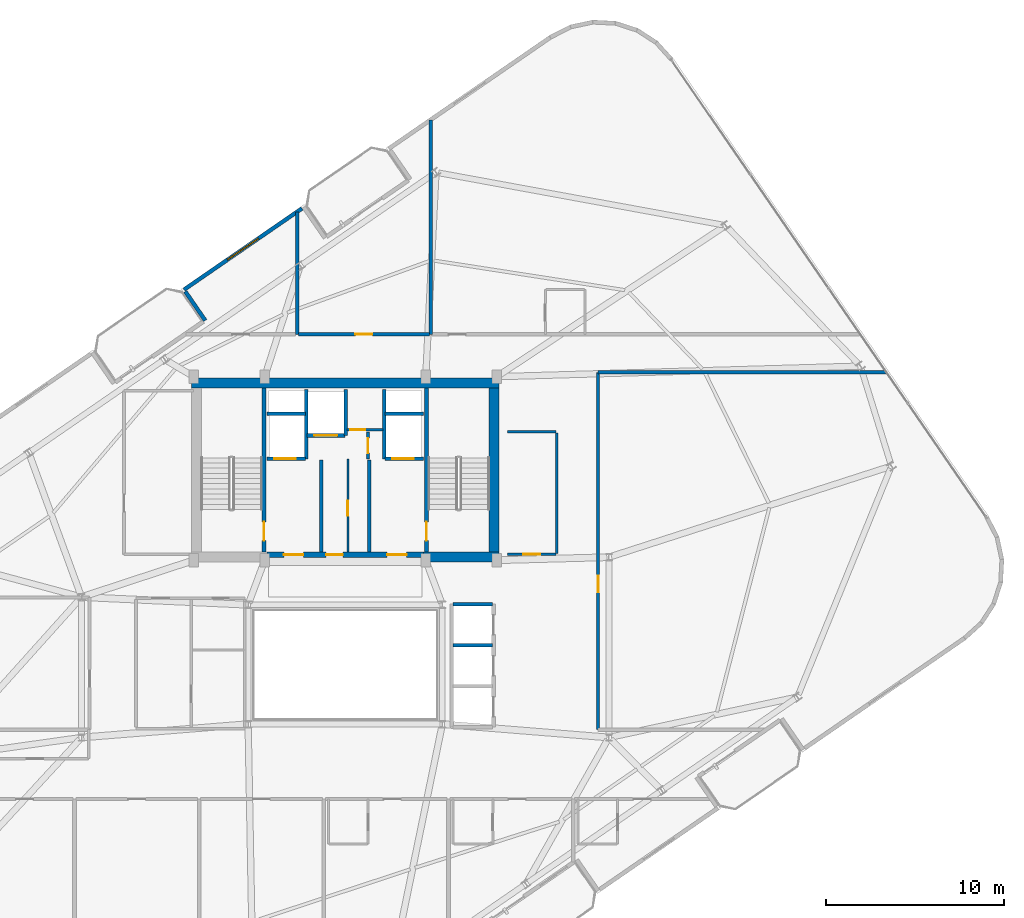
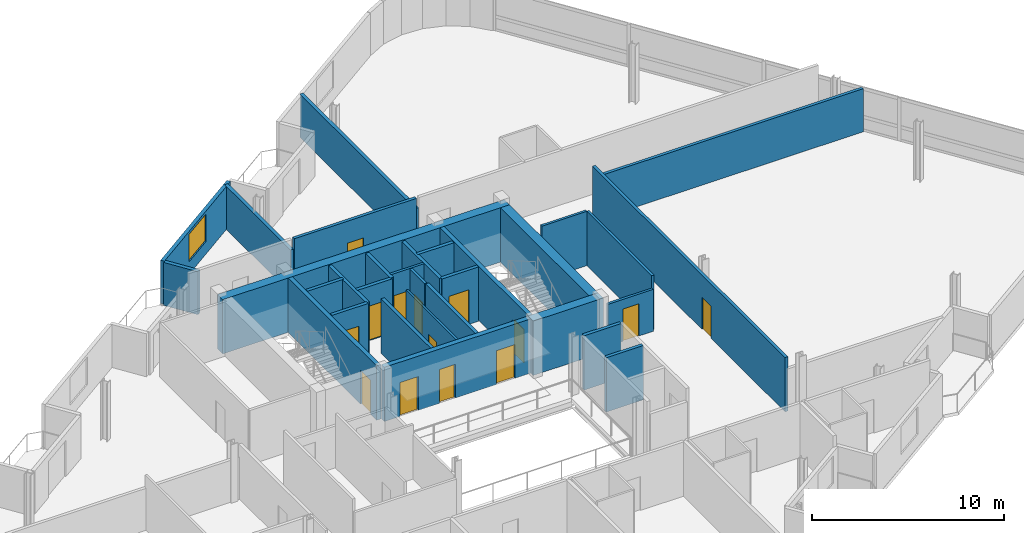
# One storey, part 16 of 21: 31 walls, 14 doors, 1 window, 15 openings.
"""IFC4 building model written with IfcOpenShell, lengths in metres."""

from ifc_helpers import new_model, si_unit, direction, frame, frame_2d, origin, place, context, subcontext, project, spatial, rectangle, extrude, material, layer, layer_set, type_object, element, fill, save


model = new_model("IFC4")

# Units and contexts
model_context = context("Model", 3, precision=1e-05, world=origin(), true_north=direction((0.0, 1.0)))
body_context = subcontext(model_context, "Body", "Model", "MODEL_VIEW")
ifc_project = project(units=[si_unit("LENGTHUNIT", "METRE"), si_unit("AREAUNIT", "SQUARE_METRE"), si_unit("VOLUMEUNIT", "CUBIC_METRE"), si_unit("PLANEANGLEUNIT", "RADIAN"), si_unit("MASSUNIT", "GRAM", prefix="KILO")], contexts=[model_context])

# Site, building, storey
site_placement = place(None, origin())
site = spatial("IfcSite", under=ifc_project, at=site_placement, CompositionType="ELEMENT")
building_placement = place(site_placement, origin())
building = spatial("IfcBuilding", under=site, at=building_placement, Name="Varnelok Gate Tower", CompositionType="ELEMENT")
storey_placement = place(building_placement, frame((0.0, 0.0, 265.60009765625)))
storey = spatial("IfcBuildingStorey", under=building, at=storey_placement, Name="L68", CompositionType="ELEMENT", Elevation=265.60009765625)

# Wall, opening, window
ifc_material_1 = material(Name="Concrete C45/55", Category="concrete")
ifc_layer_1 = layer(ifc_material_1, 0.219970703125)
ifc_layer_set_1 = layer_set([ifc_layer_1], Name="Concrete C45/55")
wall_type_1 = type_object("IfcWallType", Name="EW-BALC-220", PredefinedType="SOLIDWALL", material=ifc_layer_set_1)
wall_1_placement = place(storey_placement, frame((36.768798828125, 48.493896484375, 0.0), z_axis=(0.0, 0.0, 1.0), x_axis=(-0.823521165086, -0.56728554596, 0.0)))
wall_1 = element("IfcWall", 1, at=wall_1_placement, inside=storey, type_object=wall_type_1, Name="L68 Perimeter Facade Closure Wall 32", PredefinedType="SOLIDWALL", context=body_context, shape_type="SweptSolid", body=[
    extrude(rectangle(XDim=8.034912109375, YDim=0.219970703125, at=frame_2d((4.017578125, 0.0))), origin(), (0.0, 0.0, 1.0), 2.72998046875),
])
opening_1_placement = place(wall_1_placement, frame((2.967529296875, 0.0, 0.800048828125)))
opening_1 = element("IfcOpeningElement", 2, at=opening_1_placement, cuts=wall_1, Name="Opening WN4", PredefinedType="OPENING", context=body_context, shape_type="SweptSolid", body=[
    extrude(rectangle(XDim=2.10009765625, YDim=1.75, at=frame_2d((1.050048828125, 0.875))), frame((0.0, 0.119873046875, 0.0), z_axis=(0.0, -1.0, 0.0), x_axis=(1.0, 0.0, 0.0)), (0.0, 0.0, 1.0), 0.239990234375),
])
ifc_material_2 = material(Name="Low-E Laminated Double Glazing IGU", Category="glass")
window_type = type_object("IfcWindowType", Name="WN-SUI-2100", PartitioningType="SINGLE_PANEL", PredefinedType="WINDOW", material=ifc_material_2)
window_placement = place(opening_1_placement, origin())
window = element("IfcWindow", 3, at=window_placement, inside=storey, type_object=window_type, Name="L68 Perimeter Vision Window 32", OverallHeight=1.75, OverallWidth=2.10009765625, PartitioningType="SINGLE_PANEL", PredefinedType="WINDOW", context=body_context, shape_type="SweptSolid", body=[
    extrude(rectangle(XDim=2.10009765625, YDim=1.75, at=frame_2d((1.050048828125, 0.875))), frame((0.0, 0.030029296875, 0.0), z_axis=(0.0, -1.0, 0.0), x_axis=(1.0, 0.0, 0.0)), (0.0, 0.0, 1.0), 0.06005859375),
])
fill(opening_1, window)

# Wall
wall_2_placement = place(storey_placement, frame((30.22265625, 43.8330078125, 0.0), z_axis=(0.0, 0.0, 1.0), x_axis=(0.567215821234, -0.823569190865, 0.0)))
element("IfcWall", 4, at=wall_2_placement, inside=storey, type_object=wall_type_1, Name="L68 Perimeter Facade Closure Wall 33", PredefinedType="SOLIDWALL", context=body_context, shape_type="SweptSolid", body=[
    extrude(rectangle(XDim=1.97509765625, YDim=0.219970703125, at=frame_2d((0.987548828125, 0.0))), origin(), (0.0, 0.0, 1.0), 2.72998046875),
])

# Wall, opening, door
ifc_material_3 = material(Name="Gypsum Plasterboard Acoustic Partition", Category="gypsum")
ifc_layer_2 = layer(ifc_material_3, 0.179931640625)
ifc_layer_set_2 = layer_set([ifc_layer_2], Name="Gypsum Plasterboard Acoustic Partition")
wall_type_2 = type_object("IfcWallType", Name="PW-CORR-180", PredefinedType="PARTITIONING", material=ifc_layer_set_2)
wall_3_placement = place(storey_placement, frame((36.580078125, 41.429931640625, 0.0), z_axis=(0.0, 0.0, 1.0), x_axis=(1.0, 0.0, 0.0)))
wall_3 = element("IfcWall", 5, at=wall_3_placement, inside=storey, type_object=wall_type_2, Name="Interior Partition", PredefinedType="PARTITIONING", context=body_context, shape_type="SweptSolid", body=[
    extrude(rectangle(XDim=7.33984375, YDim=0.179931640625, at=frame_2d((3.669921875, 0.0))), origin(), (0.0, 0.0, 1.0), 3.449951171875),
])
opening_2_placement = place(wall_3_placement, frame((3.195068359375, 0.0, 0.0)))
opening_2 = element("IfcOpeningElement", 6, at=opening_2_placement, cuts=wall_3, Name="Opening D-I2", PredefinedType="OPENING", context=body_context, shape_type="SweptSolid", body=[
    extrude(rectangle(XDim=0.949951171875, YDim=2.050048828125, at=frame_2d((0.47509765625, 1.02490234375))), frame((0.0, 0.099853515625, 0.0), z_axis=(0.0, -1.0, 0.0), x_axis=(1.0, 0.0, 0.0)), (0.0, 0.0, 1.0), 0.199951171875),
])
ifc_material_4 = material(Name="Engineered Hardwood Timber", Category="wood")
door_type_1 = type_object("IfcDoorType", Name="DR-INT-950", OperationType="NOTDEFINED", PredefinedType="DOOR", material=ifc_material_4)
door_1_placement = place(opening_2_placement, origin())
door_1 = element("IfcDoor", 7, at=door_1_placement, inside=storey, type_object=door_type_1, Name="L68 Sky Library Door", OperationType="SINGLE_SWING_LEFT", OverallHeight=2.050048828125, OverallWidth=0.949951171875, PredefinedType="DOOR", context=body_context, shape_type="SweptSolid", body=[
    extrude(rectangle(XDim=0.949951171875, YDim=2.050048828125, at=frame_2d((0.47509765625, 1.02490234375))), frame((0.0, 0.02490234375, 0.0), z_axis=(0.0, -1.0, 0.0), x_axis=(1.0, 0.0, 0.0)), (0.0, 0.0, 1.0), 0.050048828125),
])
fill(opening_2, door_1)

wall_4_placement = place(storey_placement, frame((53.389892578125, 19.239990234375, 0.0), z_axis=(0.0, 0.0, 1.0), x_axis=(0.0, 1.0, 0.0)))
wall_4 = element("IfcWall", 8, at=wall_4_placement, inside=storey, type_object=wall_type_2, Name="Interior Partition", PredefinedType="PARTITIONING", context=body_context, shape_type="SweptSolid", body=[
    extrude(rectangle(XDim=20.06005859375, YDim=0.179931640625, at=frame_2d((10.030029296875, 0.0))), origin(), (0.0, 0.0, 1.0), 3.449951171875),
])
opening_3_placement = place(wall_4_placement, frame((7.699951171875, 0.0, 0.0)))
opening_3 = element("IfcOpeningElement", 9, at=opening_3_placement, cuts=wall_4, Name="Opening D-I2", PredefinedType="OPENING", context=body_context, shape_type="SweptSolid", body=[
    extrude(rectangle(XDim=0.949951171875, YDim=2.050048828125, at=frame_2d((0.47509765625, 1.02490234375))), frame((0.0, 0.099853515625, 0.0), z_axis=(0.0, -1.0, 0.0), x_axis=(1.0, 0.0, 0.0)), (0.0, 0.0, 1.0), 0.199951171875),
])
door_2_placement = place(opening_3_placement, origin())
door_2 = element("IfcDoor", 10, at=door_2_placement, inside=storey, type_object=door_type_1, Name="L68 East Club Door", OperationType="SINGLE_SWING_RIGHT", OverallHeight=2.050048828125, OverallWidth=0.949951171875, PredefinedType="DOOR", context=body_context, shape_type="SweptSolid", body=[
    extrude(rectangle(XDim=0.949951171875, YDim=2.050048828125, at=frame_2d((0.47509765625, 1.02490234375))), frame((0.0, 0.02490234375, 0.0), z_axis=(0.0, -1.0, 0.0), x_axis=(1.0, 0.0, 0.0)), (0.0, 0.0, 1.0), 0.050048828125),
])
fill(opening_3, door_2)

# Wall
wall_5_placement = place(storey_placement, frame((53.389892578125, 39.300048828125, 0.0), z_axis=(0.0, 0.0, 1.0), x_axis=(1.0, 0.0, 0.0)))
element("IfcWall", 11, at=wall_5_placement, inside=storey, type_object=wall_type_2, Name="Interior Partition", PredefinedType="PARTITIONING", context=body_context, shape_type="SweptSolid", body=[
    extrude(rectangle(XDim=16.149169921875, YDim=0.179931640625, at=frame_2d((8.07470703125, 0.0))), origin(), (0.0, 0.0, 1.0), 2.739013671875),
])

# Wall, opening, door
ifc_layer_3 = layer(ifc_material_3, 0.125)
ifc_layer_set_3 = layer_set([ifc_layer_3], Name="Gypsum Plasterboard Acoustic Partition")
wall_type_3 = type_object("IfcWallType", Name="PW-PART-125", PredefinedType="PARTITIONING", material=ifc_layer_set_3)
wall_6_placement = place(storey_placement, frame((39.35009765625, 29.199951171875, 0.0), z_axis=(0.0, 0.0, 1.0), x_axis=(0.0, 1.0, 0.0)))
wall_6 = element("IfcWall", 12, at=wall_6_placement, inside=storey, type_object=wall_type_3, Name="Interior Partition", PredefinedType="PARTITIONING", context=body_context, shape_type="SweptSolid", body=[
    extrude(rectangle(XDim=5.219970703125, YDim=0.125, at=frame_2d((2.60986328125, 0.0))), origin(), (0.0, 0.0, 1.0), 3.449951171875),
])
opening_4_placement = place(wall_6_placement, frame((2.050048828125, 0.0, 0.0)))
opening_4 = element("IfcOpeningElement", 13, at=opening_4_placement, cuts=wall_6, Name="Opening D-RS", PredefinedType="OPENING", context=body_context, shape_type="SweptSolid", body=[
    extrude(rectangle(XDim=0.85009765625, YDim=2.050048828125, at=frame_2d((0.425048828125, 1.02490234375))), frame((0.0, 0.072509765625, 0.0), z_axis=(0.0, -1.0, 0.0), x_axis=(1.0, 0.0, 0.0)), (0.0, 0.0, 1.0), 0.14501953125),
])
ifc_material_5 = material(Name="Galvanized Steel Grade S350GD", Category="steel")
door_type_2 = type_object("IfcDoorType", Name="DR-RISER-850", OperationType="NOTDEFINED", PredefinedType="DOOR", material=ifc_material_5)
door_3_placement = place(opening_4_placement, origin())
door_3 = element("IfcDoor", 14, at=door_3_placement, inside=storey, type_object=door_type_2, Name="L68 Housekeeping Linen Door", OperationType="SINGLE_SWING_RIGHT", OverallHeight=2.050048828125, OverallWidth=0.85009765625, PredefinedType="DOOR", context=body_context, shape_type="SweptSolid", body=[
    extrude(rectangle(XDim=0.85009765625, YDim=2.050048828125, at=frame_2d((0.425048828125, 1.02490234375))), frame((0.0, 0.02490234375, 0.0), z_axis=(0.0, -1.0, 0.0), x_axis=(1.0, 0.0, 0.0)), (0.0, 0.0, 1.0), 0.050048828125),
])
fill(opening_4, door_3)

ifc_layer_4 = layer(ifc_material_3, 0.14990234375)
ifc_layer_set_4 = layer_set([ifc_layer_4], Name="Gypsum Plasterboard Acoustic Partition")
wall_type_4 = type_object("IfcWallType", Name="PW-PART-150", PredefinedType="PARTITIONING", material=ifc_layer_set_4)
wall_7_placement = place(storey_placement, frame((39.300048828125, 36.080078125, 0.0), z_axis=(0.0, 0.0, 1.0), x_axis=(1.0, 0.0, 0.0)))
wall_7 = element("IfcWall", 15, at=wall_7_placement, inside=storey, type_object=wall_type_4, Name="L68 Electrical Closet South Wall", PredefinedType="PARTITIONING", context=body_context, shape_type="SweptSolid", body=[
    extrude(rectangle(XDim=2.02001953125, YDim=0.14990234375, at=frame_2d((1.010009765625, 0.0))), origin(), (0.0, 0.0, 1.0), 3.449951171875),
])
opening_5_placement = place(wall_7_placement, frame((0.179931640625, 0.0, 0.0)))
opening_5 = element("IfcOpeningElement", 16, at=opening_5_placement, cuts=wall_7, Name="Opening D-RS", PredefinedType="OPENING", context=body_context, shape_type="SweptSolid", body=[
    extrude(rectangle(XDim=0.85009765625, YDim=2.050048828125, at=frame_2d((0.425048828125, 1.02490234375))), frame((0.0, 0.0849609375, 0.0), z_axis=(0.0, -1.0, 0.0), x_axis=(1.0, 0.0, 0.0)), (0.0, 0.0, 1.0), 0.169921875),
])
door_4_placement = place(opening_5_placement, origin())
door_4 = element("IfcDoor", 17, at=door_4_placement, inside=storey, type_object=door_type_2, Name="L68 Electrical Closet Door", OperationType="SINGLE_SWING_RIGHT", OverallHeight=2.050048828125, OverallWidth=0.85009765625, PredefinedType="DOOR", context=body_context, shape_type="SweptSolid", body=[
    extrude(rectangle(XDim=0.85009765625, YDim=2.050048828125, at=frame_2d((0.425048828125, 1.02490234375))), frame((0.0, 0.02490234375, 0.0), z_axis=(0.0, -1.0, 0.0), x_axis=(1.0, 0.0, 0.0)), (0.0, 0.0, 1.0), 0.050048828125),
])
fill(opening_5, door_4)

wall_8_placement = place(storey_placement, frame((40.47998046875, 34.43994140625, 0.0), z_axis=(0.0, 0.0, 1.0), x_axis=(0.0, 1.0, 0.0)))
wall_8 = element("IfcWall", 18, at=wall_8_placement, inside=storey, type_object=wall_type_4, Name="L68 Telecoms Closet West Wall", PredefinedType="PARTITIONING", context=body_context, shape_type="SweptSolid", body=[
    extrude(rectangle(XDim=1.52001953125, YDim=0.14990234375, at=frame_2d((0.760009765625, 0.0))), origin(), (0.0, 0.0, 1.0), 3.449951171875),
])
opening_6_placement = place(wall_8_placement, frame((0.320068359375, 0.0, 0.0)))
opening_6 = element("IfcOpeningElement", 19, at=opening_6_placement, cuts=wall_8, Name="Opening D-RS", PredefinedType="OPENING", context=body_context, shape_type="SweptSolid", body=[
    extrude(rectangle(XDim=0.85009765625, YDim=2.050048828125, at=frame_2d((0.425048828125, 1.02490234375))), frame((0.0, 0.0849609375, 0.0), z_axis=(0.0, -1.0, 0.0), x_axis=(1.0, 0.0, 0.0)), (0.0, 0.0, 1.0), 0.169921875),
])
door_5_placement = place(opening_6_placement, origin())
door_5 = element("IfcDoor", 20, at=door_5_placement, inside=storey, type_object=door_type_2, Name="L68 Telecoms Closet Door", OperationType="SINGLE_SWING_LEFT", OverallHeight=2.050048828125, OverallWidth=0.85009765625, PredefinedType="DOOR", context=body_context, shape_type="SweptSolid", body=[
    extrude(rectangle(XDim=0.85009765625, YDim=2.050048828125, at=frame_2d((0.425048828125, 1.02490234375))), frame((0.0, 0.02490234375, 0.0), z_axis=(0.0, -1.0, 0.0), x_axis=(1.0, 0.0, 0.0)), (0.0, 0.0, 1.0), 0.050048828125),
])
fill(opening_6, door_5)

wall_9_placement = place(storey_placement, frame((48.300048828125, 29.080078125, 0.0), z_axis=(0.0, 0.0, 1.0), x_axis=(1.0, 0.0, 0.0)))
wall_9 = element("IfcWall", 21, at=wall_9_placement, inside=storey, type_object=wall_type_4, Name="Interior Partition", PredefinedType="PARTITIONING", context=body_context, shape_type="SweptSolid", body=[
    extrude(rectangle(XDim=2.719970703125, YDim=0.14990234375, at=frame_2d((1.35986328125, 0.0))), origin(), (0.0, 0.0, 1.0), 2.661865234375),
])
opening_7_placement = place(wall_9_placement, frame((0.89990234375, 0.0, 0.0)))
opening_7 = element("IfcOpeningElement", 22, at=opening_7_placement, cuts=wall_9, Name="Opening D-I2", PredefinedType="OPENING", context=body_context, shape_type="SweptSolid", body=[
    extrude(rectangle(XDim=0.949951171875, YDim=2.050048828125, at=frame_2d((0.47509765625, 1.02490234375))), frame((0.0, 0.0849609375, 0.0), z_axis=(0.0, -1.0, 0.0), x_axis=(1.0, 0.0, 0.0)), (0.0, 0.0, 1.0), 0.169921875),
])
door_6_placement = place(opening_7_placement, origin())
door_6 = element("IfcDoor", 23, at=door_6_placement, inside=storey, type_object=door_type_1, Name="L68 Reclaimed Trunk Store Door", OperationType="SINGLE_SWING_LEFT", OverallHeight=2.050048828125, OverallWidth=0.949951171875, PredefinedType="DOOR", context=body_context, shape_type="SweptSolid", body=[
    extrude(rectangle(XDim=0.949951171875, YDim=2.050048828125, at=frame_2d((0.47509765625, 1.02490234375))), frame((0.0, 0.02490234375, 0.0), z_axis=(0.0, -1.0, 0.0), x_axis=(1.0, 0.0, 0.0)), (0.0, 0.0, 1.0), 0.050048828125),
])
fill(opening_7, door_6)

# Walls
wall_10_placement = place(storey_placement, frame((48.300048828125, 35.9599609375, 0.0), z_axis=(0.0, 0.0, 1.0), x_axis=(1.0, 0.0, 0.0)))
element("IfcWall", 24, at=wall_10_placement, inside=storey, type_object=wall_type_4, Name="Interior Partition", PredefinedType="PARTITIONING", context=body_context, shape_type="SweptSolid", body=[
    extrude(rectangle(XDim=2.719970703125, YDim=0.14990234375, at=frame_2d((1.35986328125, 0.0))), origin(), (0.0, 0.0, 1.0), 3.449951171875),
])
wall_11_placement = place(storey_placement, frame((51.080078125, 29.139892578125, 0.0), z_axis=(0.0, 0.0, 1.0), x_axis=(0.0, 1.0, 0.0)))
element("IfcWall", 25, at=wall_11_placement, inside=storey, type_object=wall_type_4, Name="Interior Partition", PredefinedType="PARTITIONING", context=body_context, shape_type="SweptSolid", body=[
    extrude(rectangle(XDim=6.760009765625, YDim=0.14990234375, at=frame_2d((3.3798828125, 0.0))), origin(), (0.0, 0.0, 1.0), 3.449951171875),
])
ifc_layer_5 = layer(ifc_material_3, 0.205078125)
ifc_layer_set_5 = layer_set([ifc_layer_5], Name="Gypsum Plasterboard Acoustic Partition")
wall_type_5 = type_object("IfcWallType", Name="PW-PARTY-200", PredefinedType="PARTITIONING", material=ifc_layer_set_5)
wall_12_placement = place(storey_placement, frame((36.5, 41.429931640625, 0.0), z_axis=(0.0, 0.0, 1.0), x_axis=(0.0, 1.0, 0.0)))
element("IfcWall", 26, at=wall_12_placement, inside=storey, type_object=wall_type_5, Name="L68 North Party Wall 1", PredefinedType="PARTITIONING", context=body_context, shape_type="SweptSolid", body=[
    extrude(rectangle(XDim=6.854248046875, YDim=0.205078125, at=frame_2d((3.42724609375, 0.0))), origin(), (0.0, 0.0, 1.0), 2.739013671875),
])
wall_13_placement = place(storey_placement, frame((44.0, 41.429931640625, 0.0), z_axis=(0.0, 0.0, 1.0), x_axis=(0.0, 1.0, 0.0)))
element("IfcWall", 27, at=wall_13_placement, inside=storey, type_object=wall_type_5, Name="L68 North Party Wall 2", PredefinedType="PARTITIONING", context=body_context, shape_type="SweptSolid", body=[
    extrude(rectangle(XDim=12.0205078125, YDim=0.205078125, at=frame_2d((6.01025390625, 0.0))), origin(), (0.0, 0.0, 1.0), 2.739013671875),
])
ifc_material_6 = material(Name="Concrete C35/45", Category="concrete")
ifc_layer_6 = layer(ifc_material_6, 0.199951171875)
ifc_layer_set_6 = layer_set([ifc_layer_6], Name="Concrete C35/45")
wall_type_6 = type_object("IfcWallType", Name="PW-SHAFT-200", PredefinedType="PARTITIONING", material=ifc_layer_set_6)
for number, where, z_axis, x_axis, name in (
    (28, (37.860107421875, 29.199951171875, 0.0), (0.0, 0.0, 1.0), (0.0, 1.0, 0.0), "L68 West FF Lobby Rated Wall"),
    (29, (40.5400390625, 29.199951171875, 0.0), (0.0, 0.0, 1.0), (0.0, 1.0, 0.0), "L68 East FF Lobby Rated Wall"),
):
    element("IfcWall", number, at=place(storey_placement, frame(where, z_axis=z_axis, x_axis=x_axis)), inside=storey, type_object=wall_type_6, Name=name, PredefinedType="PARTITIONING", context=body_context, shape_type="SweptSolid", body=[
        extrude(rectangle(XDim=5.179931640625, YDim=0.199951171875, at=frame_2d((2.58984375, 0.0))), origin(), (0.0, 0.0, 1.0), 3.449951171875),
    ])

# Wall, opening, door
wall_14_placement = place(storey_placement, frame((34.800048828125, 34.43994140625, 0.0), z_axis=(0.0, 0.0, 1.0), x_axis=(1.0, 0.0, 0.0)))
wall_14 = element("IfcWall", 30, at=wall_14_placement, inside=storey, type_object=wall_type_6, Name="L68 FF1 Shaft Front Wall", PredefinedType="PARTITIONING", context=body_context, shape_type="SweptSolid", body=[
    extrude(rectangle(XDim=2.179931640625, YDim=0.199951171875, at=frame_2d((1.08984375, 0.0))), origin(), (0.0, 0.0, 1.0), 3.449951171875),
])
opening_8_placement = place(wall_14_placement, frame((0.419921875, 0.0, 0.0)))
opening_8 = element("IfcOpeningElement", 31, at=opening_8_placement, cuts=wall_14, Name="Opening LD-FF1", PredefinedType="OPENING", context=body_context, shape_type="SweptSolid", body=[
    extrude(rectangle(XDim=1.199951171875, YDim=2.199951171875, at=frame_2d((0.60009765625, 1.10009765625))), frame((0.0, 0.10986328125, 0.0), z_axis=(0.0, -1.0, 0.0), x_axis=(1.0, 0.0, 0.0)), (0.0, 0.0, 1.0), 0.219970703125),
])
door_type_3 = type_object("IfcDoorType", Name="DR-LIFT-FF1200", OperationType="SLIDING_TO_LEFT", PredefinedType="DOOR", material=ifc_material_5)
door_7_placement = place(opening_8_placement, origin())
door_7 = element("IfcDoor", 32, at=door_7_placement, inside=storey, type_object=door_type_3, Name="L68 Firefighting Lift Landing Door LD-FF1", OperationType="SLIDING_TO_LEFT", OverallHeight=2.199951171875, OverallWidth=1.199951171875, PredefinedType="DOOR", context=body_context, shape_type="SweptSolid", body=[
    extrude(rectangle(XDim=1.199951171875, YDim=2.199951171875, at=frame_2d((0.60009765625, 1.10009765625))), frame((0.0, 0.02490234375, 0.0), z_axis=(0.0, -1.0, 0.0), x_axis=(1.0, 0.0, 0.0)), (0.0, 0.0, 1.0), 0.050048828125),
])
fill(opening_8, door_7)

# Walls
wall_15_placement = place(storey_placement, frame((34.800048828125, 36.97998046875, 0.0), z_axis=(0.0, 0.0, 1.0), x_axis=(1.0, 0.0, 0.0)))
element("IfcWall", 33, at=wall_15_placement, inside=storey, type_object=wall_type_6, Name="L68 FF1 Shaft North Wall", PredefinedType="PARTITIONING", context=body_context, shape_type="SweptSolid", body=[
    extrude(rectangle(XDim=2.179931640625, YDim=0.199951171875, at=frame_2d((1.08984375, 0.0))), origin(), (0.0, 0.0, 1.0), 3.449951171875),
])
wall_16_placement = place(storey_placement, frame((37.0, 34.43994140625, 0.0), z_axis=(0.0, 0.0, 1.0), x_axis=(0.0, 1.0, 0.0)))
element("IfcWall", 34, at=wall_16_placement, inside=storey, type_object=wall_type_6, Name="L68 FF1 Shaft Side Wall", PredefinedType="PARTITIONING", context=body_context, shape_type="SweptSolid", body=[
    extrude(rectangle(XDim=3.900146484375, YDim=0.199951171875, at=frame_2d((1.9501953125, 0.0))), origin(), (0.0, 0.0, 1.0), 3.449951171875),
])

# Wall, opening, door
wall_17_placement = place(storey_placement, frame((41.419921875, 34.43994140625, 0.0), z_axis=(0.0, 0.0, 1.0), x_axis=(1.0, 0.0, 0.0)))
wall_17 = element("IfcWall", 35, at=wall_17_placement, inside=storey, type_object=wall_type_6, Name="L68 FF2 Shaft Front Wall", PredefinedType="PARTITIONING", context=body_context, shape_type="SweptSolid", body=[
    extrude(rectangle(XDim=2.18017578125, YDim=0.199951171875, at=frame_2d((1.090087890625, 0.0))), origin(), (0.0, 0.0, 1.0), 3.449951171875),
])
opening_9_placement = place(wall_17_placement, frame((0.419921875, 0.0, 0.0)))
opening_9 = element("IfcOpeningElement", 36, at=opening_9_placement, cuts=wall_17, Name="Opening LD-FF2", PredefinedType="OPENING", context=body_context, shape_type="SweptSolid", body=[
    extrude(rectangle(XDim=1.199951171875, YDim=2.199951171875, at=frame_2d((0.60009765625, 1.10009765625))), frame((0.0, 0.10986328125, 0.0), z_axis=(0.0, -1.0, 0.0), x_axis=(1.0, 0.0, 0.0)), (0.0, 0.0, 1.0), 0.219970703125),
])
door_8_placement = place(opening_9_placement, origin())
door_8 = element("IfcDoor", 37, at=door_8_placement, inside=storey, type_object=door_type_3, Name="L68 Firefighting Lift Landing Door LD-FF2", OperationType="SLIDING_TO_LEFT", OverallHeight=2.199951171875, OverallWidth=1.199951171875, PredefinedType="DOOR", context=body_context, shape_type="SweptSolid", body=[
    extrude(rectangle(XDim=1.199951171875, YDim=2.199951171875, at=frame_2d((0.60009765625, 1.10009765625))), frame((0.0, 0.02490234375, 0.0), z_axis=(0.0, -1.0, 0.0), x_axis=(1.0, 0.0, 0.0)), (0.0, 0.0, 1.0), 0.050048828125),
])
fill(opening_9, door_8)

# Walls
wall_18_placement = place(storey_placement, frame((41.419921875, 36.97998046875, 0.0), z_axis=(0.0, 0.0, 1.0), x_axis=(1.0, 0.0, 0.0)))
element("IfcWall", 38, at=wall_18_placement, inside=storey, type_object=wall_type_6, Name="L68 FF2 Shaft North Wall", PredefinedType="PARTITIONING", context=body_context, shape_type="SweptSolid", body=[
    extrude(rectangle(XDim=2.18017578125, YDim=0.199951171875, at=frame_2d((1.090087890625, 0.0))), origin(), (0.0, 0.0, 1.0), 3.449951171875),
])
wall_19_placement = place(storey_placement, frame((41.39990234375, 34.43994140625, 0.0), z_axis=(0.0, 0.0, 1.0), x_axis=(0.0, 1.0, 0.0)))
element("IfcWall", 39, at=wall_19_placement, inside=storey, type_object=wall_type_6, Name="L68 FF2 Shaft Side Wall", PredefinedType="PARTITIONING", context=body_context, shape_type="SweptSolid", body=[
    extrude(rectangle(XDim=3.900146484375, YDim=0.199951171875, at=frame_2d((1.9501953125, 0.0))), origin(), (0.0, 0.0, 1.0), 3.449951171875),
])

# Wall, opening, door
wall_20_placement = place(storey_placement, frame((37.06005859375, 35.75, 0.0), z_axis=(0.0, 0.0, 1.0), x_axis=(1.0, 0.0, 0.0)))
wall_20 = element("IfcWall", 40, at=wall_20_placement, inside=storey, type_object=wall_type_6, Name="L68 SV1 Shaft Front Wall", PredefinedType="PARTITIONING", context=body_context, shape_type="SweptSolid", body=[
    extrude(rectangle(XDim=2.119873046875, YDim=0.199951171875, at=frame_2d((1.06005859375, 0.0))), origin(), (0.0, 0.0, 1.0), 3.449951171875),
])
opening_10_placement = place(wall_20_placement, frame((0.39990234375, 0.0, 0.0)))
opening_10 = element("IfcOpeningElement", 41, at=opening_10_placement, cuts=wall_20, Name="Opening LD-SV1", PredefinedType="OPENING", context=body_context, shape_type="SweptSolid", body=[
    extrude(rectangle(XDim=1.300048828125, YDim=2.199951171875, at=frame_2d((0.64990234375, 1.10009765625))), frame((0.0, 0.10986328125, 0.0), z_axis=(0.0, -1.0, 0.0), x_axis=(1.0, 0.0, 0.0)), (0.0, 0.0, 1.0), 0.219970703125),
])
door_type_4 = type_object("IfcDoorType", Name="DR-LIFT-SV1300", OperationType="SLIDING_TO_LEFT", PredefinedType="DOOR", material=ifc_material_5)
door_9_placement = place(opening_10_placement, origin())
door_9 = element("IfcDoor", 42, at=door_9_placement, inside=storey, type_object=door_type_4, Name="L68 Service Lift Landing Door LD-SV1", OperationType="SLIDING_TO_LEFT", OverallHeight=2.199951171875, OverallWidth=1.300048828125, PredefinedType="DOOR", context=body_context, shape_type="SweptSolid", body=[
    extrude(rectangle(XDim=1.300048828125, YDim=2.199951171875, at=frame_2d((0.64990234375, 1.10009765625))), frame((0.0, 0.02490234375, 0.0), z_axis=(0.0, -1.0, 0.0), x_axis=(1.0, 0.0, 0.0)), (0.0, 0.0, 1.0), 0.050048828125),
])
fill(opening_10, door_9)

# Walls
wall_21_placement = place(storey_placement, frame((39.219970703125, 35.75, 0.0), z_axis=(0.0, 0.0, 1.0), x_axis=(0.0, 1.0, 0.0)))
element("IfcWall", 43, at=wall_21_placement, inside=storey, type_object=wall_type_6, Name="L68 SV1 Shaft East Wall", PredefinedType="PARTITIONING", context=body_context, shape_type="SweptSolid", body=[
    extrude(rectangle(XDim=2.590087890625, YDim=0.199951171875, at=frame_2d((1.294921875, 0.0))), origin(), (0.0, 0.0, 1.0), 3.449951171875),
])
for number, where, z_axis, x_axis, name in (
    (44, (45.239990234375, 23.97509765625, 0.0), (0.0, 0.0, 1.0), (1.0, 0.0, 0.0), "L68 PH2 Divider"),
    (45, (45.239990234375, 26.280029296875, 0.0), (0.0, 0.0, 1.0), (1.0, 0.0, 0.0), "L68 PH Bank North Wall"),
):
    element("IfcWall", number, at=place(storey_placement, frame(where, z_axis=z_axis, x_axis=x_axis)), inside=storey, type_object=wall_type_6, Name=name, PredefinedType="PARTITIONING", context=body_context, shape_type="SweptSolid", body=[
        extrude(rectangle(XDim=2.219970703125, YDim=0.199951171875, at=frame_2d((1.10986328125, 0.0))), origin(), (0.0, 0.0, 1.0), 3.449951171875),
    ])
ifc_material_7 = material(Name="Concrete C60/75", Category="concrete")
ifc_layer_7 = layer(ifc_material_7, 0.550048828125)
ifc_layer_set_7 = layer_set([ifc_layer_7], Name="Concrete C60/75")
wall_type_7 = type_object("IfcWallType", Name="SW-CORE-550", PredefinedType="SHEAR", material=ifc_layer_set_7)
wall_22_placement = place(storey_placement, frame((30.580078125, 38.695068359375, 0.0), z_axis=(0.0, 0.0, 1.0), x_axis=(1.0, 0.0, 0.0)))
element("IfcWall", 46, at=wall_22_placement, inside=storey, type_object=wall_type_7, Name="L68 Rear Core North Shear Wall", PredefinedType="SHEAR", context=body_context, shape_type="SweptSolid", body=[
    extrude(rectangle(XDim=17.239990234375, YDim=0.550048828125, at=frame_2d((8.6201171875, 0.0))), origin(), (0.0, 0.0, 1.0), 3.449951171875),
])
wall_23_placement = place(storey_placement, frame((47.544921875, 29.199951171875, 0.0), z_axis=(0.0, 0.0, 1.0), x_axis=(0.0, 1.0, 0.0)))
element("IfcWall", 47, at=wall_23_placement, inside=storey, type_object=wall_type_7, Name="L68 Rear Core East Shear Wall", PredefinedType="SHEAR", context=body_context, shape_type="SweptSolid", body=[
    extrude(rectangle(XDim=9.219970703125, YDim=0.550048828125, at=frame_2d((4.60986328125, 0.0))), origin(), (0.0, 0.0, 1.0), 3.449951171875),
])
wall_24_placement = place(storey_placement, frame((43.60009765625, 28.925048828125, 0.0), z_axis=(0.0, 0.0, 1.0), x_axis=(1.0, 0.0, 0.0)))
element("IfcWall", 48, at=wall_24_placement, inside=storey, type_object=wall_type_7, Name="L68 Rear Core South-East Shear Wall", PredefinedType="SHEAR", context=body_context, shape_type="SweptSolid", body=[
    extrude(rectangle(XDim=4.219970703125, YDim=0.550048828125, at=frame_2d((2.10986328125, 0.0))), origin(), (0.0, 0.0, 1.0), 3.449951171875),
])

# Wall, opening, door
ifc_layer_8 = layer(ifc_material_7, 0.25)
ifc_layer_set_8 = layer_set([ifc_layer_8], Name="Concrete C60/75")
wall_type_8 = type_object("IfcWallType", Name="SW-SHAFT-250", PredefinedType="SHEAR", material=ifc_layer_set_8)
wall_25_placement = place(storey_placement, frame((34.639892578125, 29.199951171875, 0.0), z_axis=(0.0, 0.0, 1.0), x_axis=(0.0, 1.0, 0.0)))
wall_25 = element("IfcWall", 49, at=wall_25_placement, inside=storey, type_object=wall_type_8, Name="L68 Stair ST-1 East Shear Wall", PredefinedType="SHEAR", context=body_context, shape_type="SweptSolid", body=[
    extrude(rectangle(XDim=9.219970703125, YDim=0.25, at=frame_2d((4.60986328125, 0.0))), origin(), (0.0, 0.0, 1.0), 3.449951171875),
])
opening_11_placement = place(wall_25_placement, frame((0.64990234375, 0.0, 0.0)))
opening_11 = element("IfcOpeningElement", 50, at=opening_11_placement, cuts=wall_25, Name="Opening D-ST", PredefinedType="OPENING", context=body_context, shape_type="SweptSolid", body=[
    extrude(rectangle(XDim=1.050048828125, YDim=2.14990234375, at=frame_2d((0.52490234375, 1.074951171875))), frame((0.0, 0.135009765625, 0.0), z_axis=(0.0, -1.0, 0.0), x_axis=(1.0, 0.0, 0.0)), (0.0, 0.0, 1.0), 0.27001953125),
])
door_type_5 = type_object("IfcDoorType", Name="DR-STAIR-1050", OperationType="NOTDEFINED", PredefinedType="DOOR", material=ifc_material_5)
door_10_placement = place(opening_11_placement, origin())
door_10 = element("IfcDoor", 51, at=door_10_placement, inside=storey, type_object=door_type_5, Name="L68 Exit Stair ST-1 Fire Door", OperationType="SINGLE_SWING_LEFT", OverallHeight=2.14990234375, OverallWidth=1.050048828125, PredefinedType="DOOR", context=body_context, shape_type="SweptSolid", body=[
    extrude(rectangle(XDim=1.050048828125, YDim=2.14990234375, at=frame_2d((0.52490234375, 1.074951171875))), frame((0.0, 0.02490234375, 0.0), z_axis=(0.0, -1.0, 0.0), x_axis=(1.0, 0.0, 0.0)), (0.0, 0.0, 1.0), 0.050048828125),
])
fill(opening_11, door_10)

wall_26_placement = place(storey_placement, frame((43.760009765625, 29.199951171875, 0.0), z_axis=(0.0, 0.0, 1.0), x_axis=(0.0, 1.0, 0.0)))
wall_26 = element("IfcWall", 52, at=wall_26_placement, inside=storey, type_object=wall_type_8, Name="L68 Stair ST-2 West Shear Wall", PredefinedType="SHEAR", context=body_context, shape_type="SweptSolid", body=[
    extrude(rectangle(XDim=9.219970703125, YDim=0.25, at=frame_2d((4.60986328125, 0.0))), origin(), (0.0, 0.0, 1.0), 3.449951171875),
])
opening_12_placement = place(wall_26_placement, frame((0.64990234375, 0.0, 0.0)))
opening_12 = element("IfcOpeningElement", 53, at=opening_12_placement, cuts=wall_26, Name="Opening D-ST", PredefinedType="OPENING", context=body_context, shape_type="SweptSolid", body=[
    extrude(rectangle(XDim=1.050048828125, YDim=2.14990234375, at=frame_2d((0.52490234375, 1.074951171875))), frame((0.0, 0.135009765625, 0.0), z_axis=(0.0, -1.0, 0.0), x_axis=(1.0, 0.0, 0.0)), (0.0, 0.0, 1.0), 0.27001953125),
])
door_11_placement = place(opening_12_placement, origin())
door_11 = element("IfcDoor", 54, at=door_11_placement, inside=storey, type_object=door_type_5, Name="L68 Exit Stair ST-2 Fire Door", OperationType="SINGLE_SWING_RIGHT", OverallHeight=2.14990234375, OverallWidth=1.050048828125, PredefinedType="DOOR", context=body_context, shape_type="SweptSolid", body=[
    extrude(rectangle(XDim=1.050048828125, YDim=2.14990234375, at=frame_2d((0.52490234375, 1.074951171875))), frame((0.0, 0.02490234375, 0.0), z_axis=(0.0, -1.0, 0.0), x_axis=(1.0, 0.0, 0.0)), (0.0, 0.0, 1.0), 0.050048828125),
])
fill(opening_12, door_11)

# Wall, openings, doors
ifc_layer_9 = layer(ifc_material_7, 0.300048828125)
ifc_layer_set_9 = layer_set([ifc_layer_9], Name="Concrete C60/75")
wall_type_9 = type_object("IfcWallType", Name="SW-SHAFT-300", PredefinedType="SHEAR", material=ifc_layer_set_9)
wall_27_placement = place(storey_placement, frame((34.800048828125, 29.050048828125, 0.0), z_axis=(0.0, 0.0, 1.0), x_axis=(1.0, 0.0, 0.0)))
wall_27 = element("IfcWall", 55, at=wall_27_placement, inside=storey, type_object=wall_type_9, Name="L68 Rear Core Central Lobby Shear Wall", PredefinedType="SHEAR", context=body_context, shape_type="SweptSolid", body=[
    extrude(rectangle(XDim=8.800048828125, YDim=0.300048828125, at=frame_2d((4.39990234375, 0.0))), origin(), (0.0, 0.0, 1.0), 3.449951171875),
])
opening_13_placement = place(wall_27_placement, frame((0.949951171875, 0.0, 0.0)))
opening_13 = element("IfcOpeningElement", 56, at=opening_13_placement, cuts=wall_27, Name="Opening D-FF", PredefinedType="OPENING", context=body_context, shape_type="SweptSolid", body=[
    extrude(rectangle(XDim=1.10009765625, YDim=2.14990234375, at=frame_2d((0.550048828125, 1.074951171875))), frame((0.0, 0.159912109375, 0.0), z_axis=(0.0, -1.0, 0.0), x_axis=(1.0, 0.0, 0.0)), (0.0, 0.0, 1.0), 0.320068359375),
])
opening_14_placement = place(wall_27_placement, frame((6.75, 0.0, 0.0)))
opening_14 = element("IfcOpeningElement", 57, at=opening_14_placement, cuts=wall_27, Name="Opening D-FF", PredefinedType="OPENING", context=body_context, shape_type="SweptSolid", body=[
    extrude(rectangle(XDim=1.10009765625, YDim=2.14990234375, at=frame_2d((0.550048828125, 1.074951171875))), frame((0.0, 0.159912109375, 0.0), z_axis=(0.0, -1.0, 0.0), x_axis=(1.0, 0.0, 0.0)), (0.0, 0.0, 1.0), 0.320068359375),
])
opening_15_placement = place(wall_27_placement, frame((3.320068359375, 0.0, 0.0)))
opening_15 = element("IfcOpeningElement", 58, at=opening_15_placement, cuts=wall_27, Name="Opening D-CR", PredefinedType="OPENING", context=body_context, shape_type="SweptSolid", body=[
    extrude(rectangle(XDim=0.949951171875, YDim=2.14990234375, at=frame_2d((0.47509765625, 1.074951171875))), frame((0.0, 0.159912109375, 0.0), z_axis=(0.0, -1.0, 0.0), x_axis=(1.0, 0.0, 0.0)), (0.0, 0.0, 1.0), 0.320068359375),
])
door_type_6 = type_object("IfcDoorType", Name="DR-CORR-950", OperationType="NOTDEFINED", PredefinedType="DOOR", material=ifc_material_5)
door_12_placement = place(opening_15_placement, origin())
door_12 = element("IfcDoor", 59, at=door_12_placement, inside=storey, type_object=door_type_6, Name="L68 Core Service Passage Door", OperationType="SINGLE_SWING_LEFT", OverallHeight=2.14990234375, OverallWidth=0.949951171875, PredefinedType="DOOR", context=body_context, shape_type="SweptSolid", body=[
    extrude(rectangle(XDim=0.949951171875, YDim=2.14990234375, at=frame_2d((0.47509765625, 1.074951171875))), frame((0.0, 0.02490234375, 0.0), z_axis=(0.0, -1.0, 0.0), x_axis=(1.0, 0.0, 0.0)), (0.0, 0.0, 1.0), 0.050048828125),
])
fill(opening_15, door_12)
door_type_7 = type_object("IfcDoorType", Name="DR-FFLOB-1100", OperationType="NOTDEFINED", PredefinedType="DOOR", material=ifc_material_5)
door_13_placement = place(opening_13_placement, origin())
door_13 = element("IfcDoor", 60, at=door_13_placement, inside=storey, type_object=door_type_7, Name="L68 West Firefighting Lobby Fire Door", OperationType="SINGLE_SWING_RIGHT", OverallHeight=2.14990234375, OverallWidth=1.10009765625, PredefinedType="DOOR", context=body_context, shape_type="SweptSolid", body=[
    extrude(rectangle(XDim=1.10009765625, YDim=2.14990234375, at=frame_2d((0.550048828125, 1.074951171875))), frame((0.0, 0.02490234375, 0.0), z_axis=(0.0, -1.0, 0.0), x_axis=(1.0, 0.0, 0.0)), (0.0, 0.0, 1.0), 0.050048828125),
])
fill(opening_13, door_13)
door_14_placement = place(opening_14_placement, origin())
door_14 = element("IfcDoor", 61, at=door_14_placement, inside=storey, type_object=door_type_7, Name="L68 East Firefighting Lobby Fire Door", OperationType="SINGLE_SWING_LEFT", OverallHeight=2.14990234375, OverallWidth=1.10009765625, PredefinedType="DOOR", context=body_context, shape_type="SweptSolid", body=[
    extrude(rectangle(XDim=1.10009765625, YDim=2.14990234375, at=frame_2d((0.550048828125, 1.074951171875))), frame((0.0, 0.02490234375, 0.0), z_axis=(0.0, -1.0, 0.0), x_axis=(1.0, 0.0, 0.0)), (0.0, 0.0, 1.0), 0.050048828125),
])
fill(opening_14, door_14)

save(model, "model.ifc")
